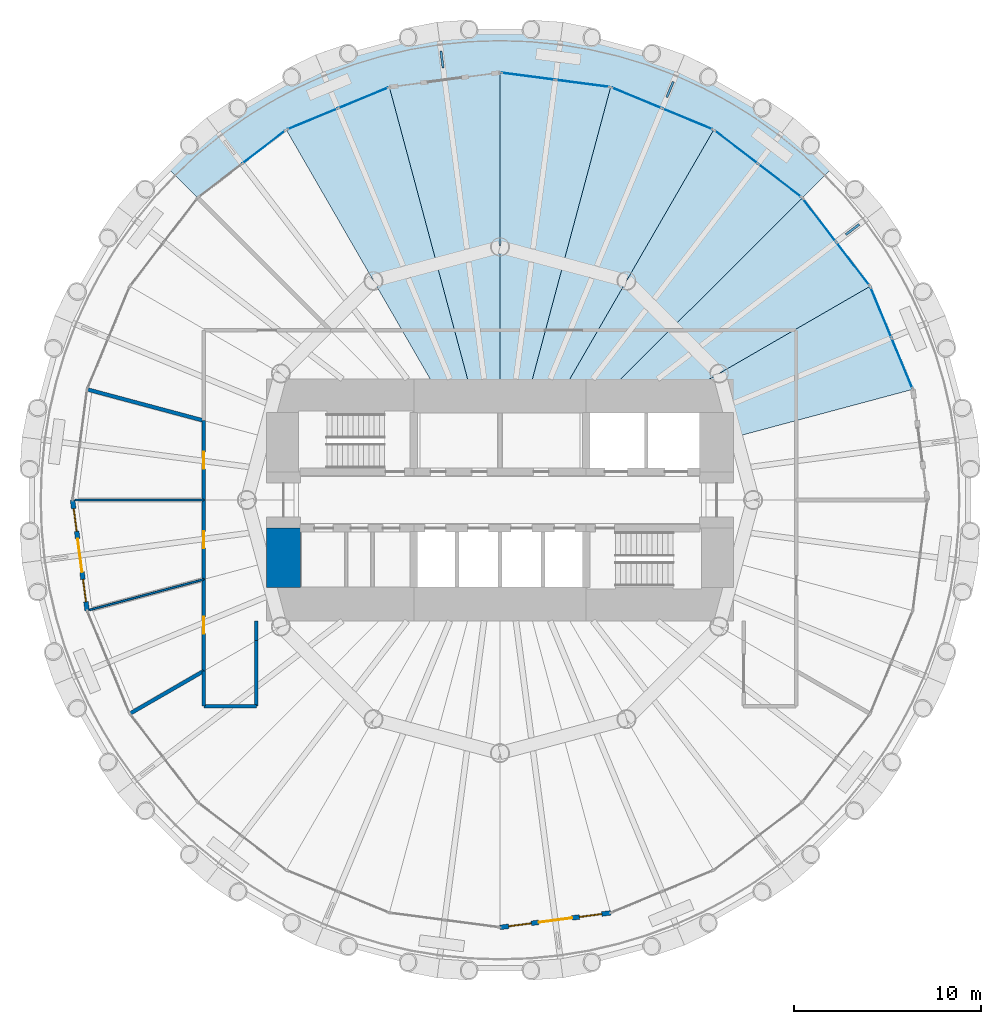
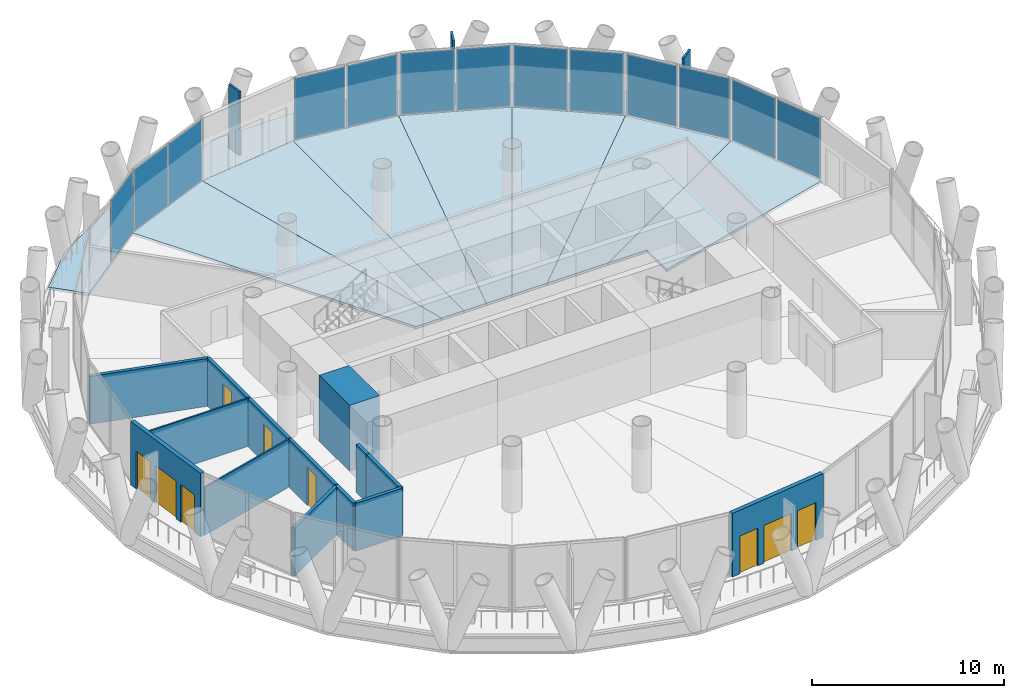
# One storey, part 8 of 14: 16 plates, 14 walls, 8 slabs, 5 doors, 4 windows, 9 openings, 7 elements without a shape of their own.
"""IFC4 building model written with IfcOpenShell, lengths in metres."""

import ifcopenshell
import ifcopenshell.guid

model = None  # the IFC model being written
_history = None  # IfcOwnerHistory: only IFC2X3 demands one
_inside = {}  # id of a spatial element -> (the spatial element, [elements in it])
_under = {}  # id of a project, library or spatial element -> (it, [spatial elements below it])
_declared = {}  # id of a project -> (the project, [libraries it declares])
_typed = {}  # id of a type object -> (the type object, [elements of that type])
_made_of = {}  # id of a material, layer set ... -> (it, [elements and type objects made of it])


def new_model(schema):
    """Start an empty IFC model of exactly this schema.

    Asked for "IFC4X3", IfcOpenShell would pick the latest addendum, in which some entities
    have other attributes; the version numbers below select the first issue.
    IFC2X3 requires an IfcOwnerHistory on every rooted entity: one is made here for all.
    """
    global model, _history
    if schema == "IFC4X3":
        model = ifcopenshell.file(schema_version=(4, 3, 0, 0))
    else:
        model = ifcopenshell.file(schema=schema)
    _inside.clear()
    _under.clear()
    _declared.clear()
    _typed.clear()
    _made_of.clear()
    _history = None
    if model.schema == "IFC2X3":
        org = make("IfcOrganization", Name="unknown")
        user = make(
            "IfcPersonAndOrganization",
            ThePerson=make("IfcPerson", FamilyName="unknown"),
            TheOrganization=org,
        )
        app = make(
            "IfcApplication",
            ApplicationDeveloper=org,
            Version="unknown",
            ApplicationFullName="unknown",
            ApplicationIdentifier="unknown",
        )
        _history = make(
            "IfcOwnerHistory",
            OwningUser=user,
            OwningApplication=app,
            ChangeAction="ADDED",
            CreationDate=0,
        )
    return model


def make(cls, **values):
    """One entity of the class cls with the attributes given. An attribute that is None is left unset."""
    return model.create_entity(
        cls, **{name: value for name, value in values.items() if value is not None}
    )


def rooted(cls, **values):
    """An entity with a GlobalId (a new one), such as an element, a storey or a relation."""
    return make(cls, GlobalId=ifcopenshell.guid.new(), OwnerHistory=_history, **values)


def si_unit(unit_type, name, prefix=None):
    """IfcSIUnit, for example si_unit("LENGTHUNIT", "METRE", prefix="MILLI")."""
    return make("IfcSIUnit", UnitType=unit_type, Prefix=prefix, Name=name)


def assignment(units):
    """IfcUnitAssignment: the units of a project."""
    return None if units is None else make("IfcUnitAssignment", Units=units)


def point(xyz):
    """IfcCartesianPoint."""
    return None if xyz is None else make("IfcCartesianPoint", Coordinates=xyz)


def direction(xyz):
    """IfcDirection."""
    return None if xyz is None else make("IfcDirection", DirectionRatios=xyz)


def frame(location, z_axis=None, x_axis=None):
    """IfcAxis2Placement3D, a coordinate frame: its origin and axes. An axis left out is left unset."""
    return make(
        "IfcAxis2Placement3D",
        Location=point(location),
        Axis=direction(z_axis),
        RefDirection=direction(x_axis),
    )


def frame_2d(location, x_axis=None):
    """IfcAxis2Placement2D, a coordinate frame in the plane: its origin and x axis."""
    return make(
        "IfcAxis2Placement2D", Location=point(location), RefDirection=direction(x_axis)
    )


def origin():
    """The frame at (0, 0, 0) with its axes left unset."""
    return frame((0.0, 0.0, 0.0))


def origin_2d():
    """The frame at (0, 0) in the plane with its x axis left unset."""
    return frame_2d((0.0, 0.0))


def place(relative_to, where):
    """IfcLocalPlacement: puts the frame where relative to a parent placement (None: the world)."""
    return make(
        "IfcLocalPlacement", PlacementRelTo=relative_to, RelativePlacement=where
    )


def context(
    kind, dimensions, precision=None, world=None, true_north=None, identifier=None
):
    """IfcGeometricRepresentationContext, for example the 3D "Model" context."""
    return make(
        "IfcGeometricRepresentationContext",
        ContextIdentifier=identifier,
        ContextType=kind,
        CoordinateSpaceDimension=dimensions,
        Precision=precision,
        WorldCoordinateSystem=world,
        TrueNorth=true_north,
    )


def subcontext(parent, identifier, kind, view, scale=None):
    """IfcGeometricRepresentationSubContext, for example "Body" below "Model"."""
    return make(
        "IfcGeometricRepresentationSubContext",
        ContextIdentifier=identifier,
        ContextType=kind,
        ParentContext=parent,
        TargetScale=scale,
        TargetView=view,
    )


def project(units=None, contexts=None):
    """IfcProject with its units and contexts."""
    return rooted(
        "IfcProject",
        Name="project",
        RepresentationContexts=contexts,
        UnitsInContext=assignment(units),
    )


def spatial(cls, under=None, at=None, **own):
    """A site, building, storey or space (cls), placed at a placement, below another one or the project."""
    s = rooted(cls, ObjectPlacement=at, **own)
    if under is not None:
        _under.setdefault(under.id(), (under, []))[1].append(s)
    return s


def polyline(points):
    """IfcPolyline through the points."""
    return make("IfcPolyline", Points=[point(p) for p in points])


def profile(cls, at=None, kind="AREA", **sizes):
    """A parametric profile (cls). Its sizes go by their IFC names, for example OverallWidth=200.0."""
    return make(cls, ProfileType=kind, Position=at, **sizes)


def rectangle(**sizes):
    """IfcRectangleProfileDef."""
    return profile("IfcRectangleProfileDef", **sizes)


def outline(outer, holes=None, kind="AREA"):
    """IfcArbitraryClosedProfileDef: a profile drawn as a closed curve; with holes, ...WithVoids."""
    if holes is None:
        return make("IfcArbitraryClosedProfileDef", ProfileType=kind, OuterCurve=outer)
    return make(
        "IfcArbitraryProfileDefWithVoids",
        ProfileType=kind,
        OuterCurve=outer,
        InnerCurves=holes,
    )


def extrude(swept, where, along, depth):
    """IfcExtrudedAreaSolid: the profile swept, set in the frame where, extruded along a direction by depth."""
    return make(
        "IfcExtrudedAreaSolid",
        SweptArea=swept,
        Position=where,
        ExtrudedDirection=direction(along),
        Depth=depth,
    )


def shape(context_of_items, identifier, shape_type, items):
    """IfcShapeRepresentation: the items that make up one representation, for example the "Body"."""
    return make(
        "IfcShapeRepresentation",
        ContextOfItems=context_of_items,
        RepresentationIdentifier=identifier,
        RepresentationType=shape_type,
        Items=items,
    )


def material(Name=None, Category=None):
    """IfcMaterial."""
    return make("IfcMaterial", Name=Name, Category=Category)


def layer(
    of_material, thickness, ventilated=None, Name=None, Category=None, Priority=None
):
    """IfcMaterialLayer: one layer of a wall or slab, of a material (None: an air gap)."""
    return make(
        "IfcMaterialLayer",
        Material=of_material,
        LayerThickness=thickness,
        IsVentilated=ventilated,
        Name=Name,
        Category=Category,
        Priority=Priority,
    )


def layer_set(layers, Name=None):
    """IfcMaterialLayerSet."""
    return make("IfcMaterialLayerSet", MaterialLayers=layers, LayerSetName=Name)


def made_of(thing, what):
    """Note that an element or type object is made of a material, layer set ...; save() writes the relation."""
    if what is not None:
        _made_of.setdefault(what.id(), (what, []))[1].append(thing)
    return thing


def type_object(cls, material=None, **own):
    """A type object (cls), such as IfcWallType, which elements share."""
    return made_of(rooted(cls, **own), material)


def element(
    cls,
    number,
    at=None,
    inside=None,
    cuts=None,
    type_object=None,
    material=None,
    context=None,
    identifier="Body",
    shape_type=None,
    held_by="IfcProductDefinitionShape",
    body=None,
    shapes=None,
    **own,
):
    """One element of the class cls, such as IfcWall. Its Tag is "e" and its number.

    at: its placement. inside: the storey or other place that contains it. cuts: it is an
    opening in that element (IfcRelVoidsElement). A single representation is given by context,
    identifier, shape_type and body (its items); several are given by shapes. held_by: the class
    of the entity that holds the representations. save() writes the other relations.
    """
    e = rooted(cls, Tag="e%d" % number, ObjectPlacement=at, **own)
    if body is not None:
        shapes = [shape(context, identifier, shape_type, body)]
    if shapes is not None:
        e.Representation = make(held_by, Representations=shapes)
    if inside is not None:
        _inside.setdefault(inside.id(), (inside, []))[1].append(e)
    if cuts is not None:
        rooted(
            "IfcRelVoidsElement", RelatingBuildingElement=cuts, RelatedOpeningElement=e
        )
    if type_object is not None:
        _typed.setdefault(type_object.id(), (type_object, []))[1].append(e)
    return made_of(e, material)


def fill(opening, filler):
    """IfcRelFillsElement: the door or window that sits in an opening."""
    return rooted(
        "IfcRelFillsElement",
        RelatingOpeningElement=opening,
        RelatedBuildingElement=filler,
    )


def aggregate(whole, parts):
    """IfcRelAggregates: a whole, such as a stair, and the parts it consists of."""
    return rooted("IfcRelAggregates", RelatingObject=whole, RelatedObjects=parts)


def save(model, path):
    """Write the relations noted so far, then the file.

    IfcRelAggregates (storeys below a building ...), IfcRelContainedInSpatialStructure (elements
    in a storey), IfcRelDefinesByType, IfcRelAssociatesMaterial and IfcRelDeclares: one each for
    every whole, place, type object, material and project.
    """
    for whole, parts in _under.values():
        aggregate(whole, parts)
    for where, things in _inside.values():
        rooted(
            "IfcRelContainedInSpatialStructure",
            RelatedElements=things,
            RelatingStructure=where,
        )
    for kind, things in _typed.values():
        rooted("IfcRelDefinesByType", RelatedObjects=things, RelatingType=kind)
    for what, things in _made_of.values():
        rooted("IfcRelAssociatesMaterial", RelatedObjects=things, RelatingMaterial=what)
    for by, libraries in _declared.values():
        rooted("IfcRelDeclares", RelatingContext=by, RelatedDefinitions=libraries)
    model.write(path)


model = new_model("IFC4")

# Units and contexts
model_context = context("Model", 3, precision=1e-05, world=origin(), true_north=direction((0.0, 1.0)))
body_context = subcontext(model_context, "Body", "Model", "MODEL_VIEW")
ifc_project = project(units=[si_unit("LENGTHUNIT", "METRE"), si_unit("AREAUNIT", "SQUARE_METRE"), si_unit("VOLUMEUNIT", "CUBIC_METRE"), si_unit("PLANEANGLEUNIT", "RADIAN"), si_unit("MASSUNIT", "GRAM", prefix="KILO")], contexts=[model_context])

# Site, building, storey
site_placement = place(None, origin())
site = spatial("IfcSite", under=ifc_project, at=site_placement, CompositionType="ELEMENT")
building_placement = place(site_placement, origin())
building = spatial("IfcBuilding", under=site, at=building_placement, Name="Qaws Media Tower", CompositionType="ELEMENT")
storey_placement = place(building_placement, frame((0.0, 0.0, 118.39990234375)))
storey = spatial("IfcBuildingStorey", under=building, at=storey_placement, Name="L26", CompositionType="ELEMENT", Elevation=118.39990234375)

# Slabs
ifc_material_1 = material(Name="Concrete C35/45", Category="concrete")
ifc_layer_1 = layer(ifc_material_1, 0.159912109375)
ifc_layer_set_1 = layer_set([ifc_layer_1], Name="Composite balcony slab 160")
slab_type_1 = type_object("IfcSlabType", Name="Composite balcony slab 160", PredefinedType="FLOOR", material=ifc_layer_set_1)
slab_1_placement = place(storey_placement, frame((0.0, 0.0, -0.159912109375)))
element("IfcSlab", 1, at=slab_1_placement, inside=storey, type_object=slab_type_1, Name="S2 balcony slab L26 R04 to R10, movement joints on R04 and R10", PredefinedType="FLOOR", context=body_context, shape_type="SweptSolid", body=[
    extrude(outline(polyline([(44.6591796875, 69.992431640625), (50.3564453125, 73.28173828125), (56.710693359375, 74.984375), (63.289306640625, 74.984375), (69.6435546875, 73.28173828125), (75.3408203125, 69.992431640625), (77.66650390625, 67.66650390625), (76.1220703125, 66.1220703125), (71.39990234375, 69.745361328125), (65.901123046875, 72.023193359375), (60.0, 72.800048828125), (54.098876953125, 72.023193359375), (48.60009765625, 69.745361328125), (43.8779296875, 66.1220703125), (42.33349609375, 67.66650390625), (44.6591796875, 69.992431640625)])), origin(), (0.0, 0.0, 1.0), 0.159912109375),
])
ifc_material_2 = material(Name="Concrete C35/45", Category="concrete")
ifc_layer_2 = layer(ifc_material_2, 0.159912109375)
ifc_layer_set_2 = layer_set([ifc_layer_2], Name="Composite floor slab 160")
slab_type_2 = type_object("IfcSlabType", Name="Composite floor slab 160", PredefinedType="FLOOR", material=ifc_layer_set_2)
slab_2_placement = place(storey_placement, frame((0.0, 0.0, -0.159912109375)))
element("IfcSlab", 2, at=slab_2_placement, inside=storey, type_object=slab_type_2, Name="S1 floor panel L26 on R02+7.5", PredefinedType="FLOOR", context=body_context, shape_type="SweptSolid", body=[
    extrude(outline(polyline([(82.023193359375, 55.901123046875), (71.0, 52.947509765625), (71.0, 55.0), (68.660400390625, 55.0), (79.745361328125, 61.39990234375), (82.023193359375, 55.901123046875)])), origin(), (0.0, 0.0, 1.0), 0.159912109375),
])
slab_3_placement = place(storey_placement, frame((0.0, 0.0, -0.159912109375)))
element("IfcSlab", 3, at=slab_3_placement, inside=storey, type_object=slab_type_2, Name="S1 floor panel L26 on R03+7.5", PredefinedType="FLOOR", context=body_context, shape_type="SweptSolid", body=[
    extrude(outline(polyline([(79.745361328125, 61.39990234375), (68.660400390625, 55.0), (65.0, 55.0), (76.1220703125, 66.1220703125), (79.745361328125, 61.39990234375)])), origin(), (0.0, 0.0, 1.0), 0.159912109375),
])
slab_4_placement = place(storey_placement, frame((0.0, 0.0, -0.159912109375)))
element("IfcSlab", 4, at=slab_4_placement, inside=storey, type_object=slab_type_2, Name="S1 floor panel L26 on R04+7.5", PredefinedType="FLOOR", context=body_context, shape_type="SweptSolid", body=[
    extrude(outline(polyline([(71.39990234375, 69.745361328125), (76.1220703125, 66.1220703125), (65.0, 55.0), (62.88671875, 55.0), (71.39990234375, 69.745361328125)])), origin(), (0.0, 0.0, 1.0), 0.159912109375),
])
slab_5_placement = place(storey_placement, frame((0.0, 0.0, -0.159912109375)))
element("IfcSlab", 5, at=slab_5_placement, inside=storey, type_object=slab_type_2, Name="S1 floor panel L26 on R05+7.5", PredefinedType="FLOOR", context=body_context, shape_type="SweptSolid", body=[
    extrude(outline(polyline([(71.39990234375, 69.745361328125), (62.88671875, 55.0), (61.339599609375, 55.0), (65.901123046875, 72.023193359375), (71.39990234375, 69.745361328125)])), origin(), (0.0, 0.0, 1.0), 0.159912109375),
])
slab_6_placement = place(storey_placement, frame((0.0, 0.0, -0.159912109375)))
element("IfcSlab", 6, at=slab_6_placement, inside=storey, type_object=slab_type_2, Name="S1 floor panel L26 on R06+7.5", PredefinedType="FLOOR", context=body_context, shape_type="SweptSolid", body=[
    extrude(outline(polyline([(65.901123046875, 72.023193359375), (61.339599609375, 55.0), (60.0, 55.0), (60.0, 72.800048828125), (65.901123046875, 72.023193359375)])), origin(), (0.0, 0.0, 1.0), 0.159912109375),
])
slab_7_placement = place(storey_placement, frame((0.0, 0.0, -0.159912109375)))
element("IfcSlab", 7, at=slab_7_placement, inside=storey, type_object=slab_type_2, Name="S1 floor panel L26 on R07+7.5", PredefinedType="FLOOR", context=body_context, shape_type="SweptSolid", body=[
    extrude(outline(polyline([(54.098876953125, 72.023193359375), (60.0, 72.800048828125), (60.0, 55.0), (58.660400390625, 55.0), (54.098876953125, 72.023193359375)])), origin(), (0.0, 0.0, 1.0), 0.159912109375),
])
slab_8_placement = place(storey_placement, frame((0.0, 0.0, -0.159912109375)))
element("IfcSlab", 8, at=slab_8_placement, inside=storey, type_object=slab_type_2, Name="S1 floor panel L26 on R08+7.5", PredefinedType="FLOOR", context=body_context, shape_type="SweptSolid", body=[
    extrude(outline(polyline([(54.098876953125, 72.023193359375), (58.660400390625, 55.0), (57.11328125, 55.0), (48.60009765625, 69.745361328125), (54.098876953125, 72.023193359375)])), origin(), (0.0, 0.0, 1.0), 0.159912109375),
])

# Curtain wall, plates
ifc_material_3 = material(Name="Aluminium and clear glass", Category="aluminium")
curtain_wall_type = type_object("IfcCurtainWallType", Name="Unitised curtain wall CW-B", PredefinedType="NOTDEFINED", material=ifc_material_3)
curtain_wall_1_placement = place(storey_placement, origin())
curtain_wall_1 = element("IfcCurtainWall", 9, at=curtain_wall_1_placement, inside=storey, type_object=curtain_wall_type, Name="CWB curtain wall L26-02", PredefinedType="NOTDEFINED")
ifc_material_4 = material(Name="Clear laminated double glazing", Category="glass")
ifc_layer_3 = layer(ifc_material_4, 0.031982421875)
ifc_layer_set_3 = layer_set([ifc_layer_3], Name="Curtain wall glass unit 32")
plate_type_1 = type_object("IfcPlateType", Name="Curtain wall glass unit 32", PredefinedType="CURTAIN_PANEL", material=ifc_layer_set_3)
plate_1_placement = place(storey_placement, frame((81.446044921875, 57.294189453125, 0.080078125), z_axis=(0.0, 0.0, 1.0), x_axis=(-0.382683471419, 0.923879516335, 0.0)))
plate_1 = element("IfcPlate", 10, at=plate_1_placement, type_object=plate_type_1, Name="CWB panel 1.1", PredefinedType="CURTAIN_PANEL", context=body_context, shape_type="SweptSolid", body=[
    extrude(rectangle(XDim=2.85595703125, YDim=0.031982421875, at=origin_2d()), origin(), (0.0, 0.0, 1.0), 3.8798828125),
])
plate_2_placement = place(storey_placement, frame((80.322509765625, 60.0068359375, 0.080078125), z_axis=(0.0, 0.0, 1.0), x_axis=(-0.382683471419, 0.923879516335, 0.0)))
plate_2 = element("IfcPlate", 11, at=plate_2_placement, type_object=plate_type_1, Name="CWB panel 2.1", PredefinedType="CURTAIN_PANEL", context=body_context, shape_type="SweptSolid", body=[
    extrude(rectangle(XDim=2.85595703125, YDim=0.031982421875, at=origin_2d()), origin(), (0.0, 0.0, 1.0), 3.8798828125),
])
aggregate(curtain_wall_1, [plate_1, plate_2])

curtain_wall_2_placement = place(storey_placement, origin())
curtain_wall_2 = element("IfcCurtainWall", 12, at=curtain_wall_2_placement, inside=storey, type_object=curtain_wall_type, Name="CWB curtain wall L26-03", PredefinedType="NOTDEFINED")
plate_3_placement = place(storey_placement, frame((78.827392578125, 62.596435546875, 0.080078125), z_axis=(0.0, 0.0, 1.0), x_axis=(-0.608761334505, 0.793353412806, 0.0)))
plate_3 = element("IfcPlate", 13, at=plate_3_placement, type_object=plate_type_1, Name="CWB panel 1.1", PredefinedType="CURTAIN_PANEL", context=body_context, shape_type="SweptSolid", body=[
    extrude(rectangle(XDim=2.85595703125, YDim=0.031982421875, at=origin_2d()), origin(), (0.0, 0.0, 1.0), 3.8798828125),
])
plate_4_placement = place(storey_placement, frame((77.0400390625, 64.92578125, 0.080078125), z_axis=(0.0, 0.0, 1.0), x_axis=(-0.608761334505, 0.793353412806, 0.0)))
plate_4 = element("IfcPlate", 14, at=plate_4_placement, type_object=plate_type_1, Name="CWB panel 2.1", PredefinedType="CURTAIN_PANEL", context=body_context, shape_type="SweptSolid", body=[
    extrude(rectangle(XDim=2.85595703125, YDim=0.031982421875, at=origin_2d()), origin(), (0.0, 0.0, 1.0), 3.8798828125),
])
aggregate(curtain_wall_2, [plate_3, plate_4])

curtain_wall_3_placement = place(storey_placement, origin())
curtain_wall_3 = element("IfcCurtainWall", 15, at=curtain_wall_3_placement, inside=storey, type_object=curtain_wall_type, Name="CWB curtain wall L26-04", PredefinedType="NOTDEFINED")
plate_5_placement = place(storey_placement, frame((74.92578125, 67.0400390625, 0.080078125), z_axis=(0.0, 0.0, 1.0), x_axis=(-0.793353412806, 0.608761334505, 0.0)))
plate_5 = element("IfcPlate", 16, at=plate_5_placement, type_object=plate_type_1, Name="CWB panel 1.1", PredefinedType="CURTAIN_PANEL", context=body_context, shape_type="SweptSolid", body=[
    extrude(rectangle(XDim=2.85595703125, YDim=0.031982421875, at=origin_2d()), origin(), (0.0, 0.0, 1.0), 3.8798828125),
])
plate_6_placement = place(storey_placement, frame((72.596435546875, 68.827392578125, 0.080078125), z_axis=(0.0, 0.0, 1.0), x_axis=(-0.793353412806, 0.608761334505, 0.0)))
plate_6 = element("IfcPlate", 17, at=plate_6_placement, type_object=plate_type_1, Name="CWB panel 2.1", PredefinedType="CURTAIN_PANEL", context=body_context, shape_type="SweptSolid", body=[
    extrude(rectangle(XDim=2.85595703125, YDim=0.031982421875, at=origin_2d()), origin(), (0.0, 0.0, 1.0), 3.8798828125),
])
aggregate(curtain_wall_3, [plate_5, plate_6])

curtain_wall_4_placement = place(storey_placement, origin())
curtain_wall_4 = element("IfcCurtainWall", 18, at=curtain_wall_4_placement, inside=storey, type_object=curtain_wall_type, Name="CWB curtain wall L26-05", PredefinedType="NOTDEFINED")
plate_7_placement = place(storey_placement, frame((70.0068359375, 70.322509765625, 0.080078125), z_axis=(0.0, 0.0, 1.0), x_axis=(-0.923879516335, 0.382683471419, 0.0)))
plate_7 = element("IfcPlate", 19, at=plate_7_placement, type_object=plate_type_1, Name="CWB panel 1.1", PredefinedType="CURTAIN_PANEL", context=body_context, shape_type="SweptSolid", body=[
    extrude(rectangle(XDim=2.85595703125, YDim=0.031982421875, at=origin_2d()), origin(), (0.0, 0.0, 1.0), 3.8798828125),
])
plate_8_placement = place(storey_placement, frame((67.294189453125, 71.446044921875, 0.080078125), z_axis=(0.0, 0.0, 1.0), x_axis=(-0.923879516335, 0.382683471419, 0.0)))
plate_8 = element("IfcPlate", 20, at=plate_8_placement, type_object=plate_type_1, Name="CWB panel 2.1", PredefinedType="CURTAIN_PANEL", context=body_context, shape_type="SweptSolid", body=[
    extrude(rectangle(XDim=2.85595703125, YDim=0.031982421875, at=origin_2d()), origin(), (0.0, 0.0, 1.0), 3.8798828125),
])
aggregate(curtain_wall_4, [plate_7, plate_8])

curtain_wall_5_placement = place(storey_placement, origin())
curtain_wall_5 = element("IfcCurtainWall", 21, at=curtain_wall_5_placement, inside=storey, type_object=curtain_wall_type, Name="CWB curtain wall L26-06", PredefinedType="NOTDEFINED")
plate_9_placement = place(storey_placement, frame((64.406005859375, 72.219970703125, 0.080078125), z_axis=(0.0, 0.0, 1.0), x_axis=(-0.991444864212, 0.130526170659, 0.0)))
plate_9 = element("IfcPlate", 22, at=plate_9_placement, type_object=plate_type_1, Name="CWB panel 1.1", PredefinedType="CURTAIN_PANEL", context=body_context, shape_type="SweptSolid", body=[
    extrude(rectangle(XDim=2.85595703125, YDim=0.031982421875, at=origin_2d()), origin(), (0.0, 0.0, 1.0), 3.8798828125),
])
plate_10_placement = place(storey_placement, frame((61.4951171875, 72.603271484375, 0.080078125), z_axis=(0.0, 0.0, 1.0), x_axis=(-0.991444864212, 0.130526170659, 0.0)))
plate_10 = element("IfcPlate", 23, at=plate_10_placement, type_object=plate_type_1, Name="CWB panel 2.1", PredefinedType="CURTAIN_PANEL", context=body_context, shape_type="SweptSolid", body=[
    extrude(rectangle(XDim=2.85595703125, YDim=0.031982421875, at=origin_2d()), origin(), (0.0, 0.0, 1.0), 3.8798828125),
])
aggregate(curtain_wall_5, [plate_9, plate_10])

curtain_wall_6_placement = place(storey_placement, origin())
curtain_wall_6 = element("IfcCurtainWall", 24, at=curtain_wall_6_placement, inside=storey, type_object=curtain_wall_type, Name="CWB curtain wall L26-08", PredefinedType="NOTDEFINED")
plate_11_placement = place(storey_placement, frame((52.705810546875, 71.446044921875, 0.080078125), z_axis=(0.0, 0.0, 1.0), x_axis=(-0.923879516335, -0.382683471419, 0.0)))
plate_11 = element("IfcPlate", 25, at=plate_11_placement, type_object=plate_type_1, Name="CWB panel 1.1", PredefinedType="CURTAIN_PANEL", context=body_context, shape_type="SweptSolid", body=[
    extrude(rectangle(XDim=2.85595703125, YDim=0.031982421875, at=origin_2d()), origin(), (0.0, 0.0, 1.0), 3.8798828125),
])
plate_12_placement = place(storey_placement, frame((49.9931640625, 70.322509765625, 0.080078125), z_axis=(0.0, 0.0, 1.0), x_axis=(-0.923879516335, -0.382683471419, 0.0)))
plate_12 = element("IfcPlate", 26, at=plate_12_placement, type_object=plate_type_1, Name="CWB panel 2.1", PredefinedType="CURTAIN_PANEL", context=body_context, shape_type="SweptSolid", body=[
    extrude(rectangle(XDim=2.85595703125, YDim=0.031982421875, at=origin_2d()), origin(), (0.0, 0.0, 1.0), 3.8798828125),
])
aggregate(curtain_wall_6, [plate_11, plate_12])

# Curtain wall, plate
curtain_wall_7_placement = place(storey_placement, origin())
curtain_wall_7 = element("IfcCurtainWall", 27, at=curtain_wall_7_placement, inside=storey, type_object=curtain_wall_type, Name="CWB curtain wall L26-09", PredefinedType="NOTDEFINED")
plate_13_placement = place(storey_placement, frame((47.403564453125, 68.827392578125, 0.080078125), z_axis=(0.0, 0.0, 1.0), x_axis=(-0.793353412806, -0.608761334505, 0.0)))
plate_13 = element("IfcPlate", 28, at=plate_13_placement, type_object=plate_type_1, Name="CWB panel 1.1", PredefinedType="CURTAIN_PANEL", context=body_context, shape_type="SweptSolid", body=[
    extrude(rectangle(XDim=2.85595703125, YDim=0.031982421875, at=origin_2d()), origin(), (0.0, 0.0, 1.0), 3.8798828125),
])
aggregate(curtain_wall_7, [plate_13])

# Plates
ifc_material_5 = material(Name="Precast concrete screen fin", Category="concrete")
ifc_layer_4 = layer(ifc_material_5, 0.1201171875)
ifc_layer_set_4 = layer_set([ifc_layer_4], Name="Screen fin 120x900")
plate_type_2 = type_object("IfcPlateType", Name="Screen fin 120x900", PredefinedType="USERDEFINED", material=ifc_layer_set_4)
for number, where, z_axis, x_axis, name in (
    (29, (78.802490234375, 64.427734375, 0.0), (0.0, 0.0, 1.0), (0.793353340291, 0.608761429009, 0.0), "SCR1 screen fin L26-02"),
    (30, (69.069580078125, 71.89599609375, 0.0), (0.0, 0.0, 1.0), (0.382683432365, 0.923879532511, 0.0), "SCR1 screen fin L26-03"),
    (31, (56.906494140625, 73.497314453125, 0.0), (0.0, 0.0, 1.0), (-0.13052619222, 0.991444861374, 0.0), "SCR1 screen fin L26-04"),
):
    element("IfcPlate", number, at=place(storey_placement, frame(where, z_axis=z_axis, x_axis=x_axis)), inside=storey, type_object=plate_type_2, Name=name, ObjectType="SCREEN", PredefinedType="USERDEFINED", context=body_context, shape_type="SweptSolid", body=[
        extrude(rectangle(XDim=0.89990234375, YDim=0.1201171875, at=origin_2d()), origin(), (0.0, 0.0, 1.0), 4.0400390625),
    ])

# Wall, openings, door, windows
ifc_material_6 = material(Name="Precast concrete, exposed finish", Category="concrete")
ifc_layer_5 = layer(ifc_material_6, 0.25)
ifc_layer_set_5 = layer_set([ifc_layer_5], Name="Balcony door wall 250")
wall_type_1 = type_object("IfcWallType", Name="Balcony door wall 250", PredefinedType="SOLIDWALL", material=ifc_layer_set_5)
wall_1_placement = place(storey_placement, frame((37.199951171875, 50.0, 0.0), z_axis=(0.0, 0.0, 1.0), x_axis=(0.130519236388, -0.991445777102, 0.0)))
wall_1 = element("IfcWall", 32, at=wall_1_placement, inside=storey, type_object=wall_type_1, Name="W174 EW1 balcony door wall L26-13", PredefinedType="SOLIDWALL", context=body_context, shape_type="SweptSolid", body=[
    extrude(rectangle(XDim=5.9521484375, YDim=0.25, at=frame_2d((2.97607421875, 0.0))), origin(), (0.0, 0.0, 1.0), 4.0400390625),
])
opening_1_placement = place(wall_1_placement, frame((2.075927734375, 0.0, 0.0)))
opening_1 = element("IfcOpeningElement", 33, at=opening_1_placement, cuts=wall_1, Name="Opening D7", PredefinedType="OPENING", context=body_context, shape_type="SweptSolid", body=[
    extrude(rectangle(XDim=1.800048828125, YDim=2.39990234375, at=frame_2d((0.89990234375, 1.199951171875))), frame((0.0, 0.135009765625, 0.0), z_axis=(0.0, -1.0, 0.0), x_axis=(1.0, 0.0, 0.0)), (0.0, 0.0, 1.0), 0.27001953125),
])
opening_2_placement = place(wall_1_placement, frame((0.47607421875, 0.0, 0.0)))
opening_2 = element("IfcOpeningElement", 34, at=opening_2_placement, cuts=wall_1, Name="Opening W1", PredefinedType="OPENING", context=body_context, shape_type="SweptSolid", body=[
    extrude(rectangle(XDim=1.199951171875, YDim=2.39990234375, at=frame_2d((0.60009765625, 1.199951171875))), frame((0.0, 0.135009765625, 0.0), z_axis=(0.0, -1.0, 0.0), x_axis=(1.0, 0.0, 0.0)), (0.0, 0.0, 1.0), 0.27001953125),
])
opening_3_placement = place(wall_1_placement, frame((4.27587890625, 0.0, 0.0)))
opening_3 = element("IfcOpeningElement", 35, at=opening_3_placement, cuts=wall_1, Name="Opening W1", PredefinedType="OPENING", context=body_context, shape_type="SweptSolid", body=[
    extrude(rectangle(XDim=1.199951171875, YDim=2.39990234375, at=frame_2d((0.60009765625, 1.199951171875))), frame((0.0, 0.135009765625, 0.0), z_axis=(0.0, -1.0, 0.0), x_axis=(1.0, 0.0, 0.0)), (0.0, 0.0, 1.0), 0.27001953125),
])
ifc_material_7 = material(Name="Aluminium and clear glass", Category="aluminium")
door_type_1 = type_object("IfcDoorType", Name="Balcony door pair 1800", OperationType="DOUBLE_DOOR_SLIDING", PredefinedType="DOOR", material=ifc_material_7)
door_1_placement = place(opening_1_placement, origin())
door_1 = element("IfcDoor", 36, at=door_1_placement, inside=storey, type_object=door_type_1, Name="D7 balcony door L26-13 in wall W174", OperationType="DOUBLE_DOOR_SLIDING", OverallHeight=2.39990234375, OverallWidth=1.800048828125, PredefinedType="DOOR", context=body_context, shape_type="SweptSolid", body=[
    extrude(rectangle(XDim=1.800048828125, YDim=2.39990234375, at=frame_2d((0.89990234375, 1.199951171875))), frame((0.0, 0.02490234375, 0.0), z_axis=(0.0, -1.0, 0.0), x_axis=(1.0, 0.0, 0.0)), (0.0, 0.0, 1.0), 0.050048828125),
])
fill(opening_1, door_1)
ifc_material_8 = material(Name="Aluminium and clear glass", Category="aluminium")
window_type = type_object("IfcWindowType", Name="Balcony side window 1200", PartitioningType="SINGLE_PANEL", PredefinedType="WINDOW", material=ifc_material_8)
window_1_placement = place(opening_2_placement, origin())
window_1 = element("IfcWindow", 37, at=window_1_placement, inside=storey, type_object=window_type, Name="W1 balcony side light L26-13L", OverallHeight=2.39990234375, OverallWidth=1.199951171875, PartitioningType="SINGLE_PANEL", PredefinedType="WINDOW", context=body_context, shape_type="SweptSolid", body=[
    extrude(rectangle(XDim=1.199951171875, YDim=2.39990234375, at=frame_2d((0.60009765625, 1.199951171875))), frame((0.0, 0.030029296875, 0.0), z_axis=(0.0, -1.0, 0.0), x_axis=(1.0, 0.0, 0.0)), (0.0, 0.0, 1.0), 0.06005859375),
])
fill(opening_2, window_1)
window_2_placement = place(opening_3_placement, origin())
window_2 = element("IfcWindow", 38, at=window_2_placement, inside=storey, type_object=window_type, Name="W1 balcony side light L26-13R", OverallHeight=2.39990234375, OverallWidth=1.199951171875, PartitioningType="SINGLE_PANEL", PredefinedType="WINDOW", context=body_context, shape_type="SweptSolid", body=[
    extrude(rectangle(XDim=1.199951171875, YDim=2.39990234375, at=frame_2d((0.60009765625, 1.199951171875))), frame((0.0, 0.030029296875, 0.0), z_axis=(0.0, -1.0, 0.0), x_axis=(1.0, 0.0, 0.0)), (0.0, 0.0, 1.0), 0.06005859375),
])
fill(opening_3, window_2)

wall_2_placement = place(storey_placement, frame((60.0, 27.199951171875, 0.0), z_axis=(0.0, 0.0, 1.0), x_axis=(0.991445777102, 0.130519236388, 0.0)))
wall_2 = element("IfcWall", 39, at=wall_2_placement, inside=storey, type_object=wall_type_1, Name="W175 EW1 balcony door wall L26-19", PredefinedType="SOLIDWALL", context=body_context, shape_type="SweptSolid", body=[
    extrude(rectangle(XDim=5.9521484375, YDim=0.25, at=frame_2d((2.97607421875, 0.0))), origin(), (0.0, 0.0, 1.0), 4.0400390625),
])
opening_4_placement = place(wall_2_placement, frame((2.075927734375, 0.0, 0.0)))
opening_4 = element("IfcOpeningElement", 40, at=opening_4_placement, cuts=wall_2, Name="Opening D7", PredefinedType="OPENING", context=body_context, shape_type="SweptSolid", body=[
    extrude(rectangle(XDim=1.800048828125, YDim=2.39990234375, at=frame_2d((0.89990234375, 1.199951171875))), frame((0.0, 0.135009765625, 0.0), z_axis=(0.0, -1.0, 0.0), x_axis=(1.0, 0.0, 0.0)), (0.0, 0.0, 1.0), 0.27001953125),
])
opening_5_placement = place(wall_2_placement, frame((0.47607421875, 0.0, 0.0)))
opening_5 = element("IfcOpeningElement", 41, at=opening_5_placement, cuts=wall_2, Name="Opening W1", PredefinedType="OPENING", context=body_context, shape_type="SweptSolid", body=[
    extrude(rectangle(XDim=1.199951171875, YDim=2.39990234375, at=frame_2d((0.60009765625, 1.199951171875))), frame((0.0, 0.135009765625, 0.0), z_axis=(0.0, -1.0, 0.0), x_axis=(1.0, 0.0, 0.0)), (0.0, 0.0, 1.0), 0.27001953125),
])
opening_6_placement = place(wall_2_placement, frame((4.27587890625, 0.0, 0.0)))
opening_6 = element("IfcOpeningElement", 42, at=opening_6_placement, cuts=wall_2, Name="Opening W1", PredefinedType="OPENING", context=body_context, shape_type="SweptSolid", body=[
    extrude(rectangle(XDim=1.199951171875, YDim=2.39990234375, at=frame_2d((0.60009765625, 1.199951171875))), frame((0.0, 0.135009765625, 0.0), z_axis=(0.0, -1.0, 0.0), x_axis=(1.0, 0.0, 0.0)), (0.0, 0.0, 1.0), 0.27001953125),
])
door_2_placement = place(opening_4_placement, origin())
door_2 = element("IfcDoor", 43, at=door_2_placement, inside=storey, type_object=door_type_1, Name="D7 balcony door L26-19 in wall W175", OperationType="DOUBLE_DOOR_SLIDING", OverallHeight=2.39990234375, OverallWidth=1.800048828125, PredefinedType="DOOR", context=body_context, shape_type="SweptSolid", body=[
    extrude(rectangle(XDim=1.800048828125, YDim=2.39990234375, at=frame_2d((0.89990234375, 1.199951171875))), frame((0.0, 0.02490234375, 0.0), z_axis=(0.0, -1.0, 0.0), x_axis=(1.0, 0.0, 0.0)), (0.0, 0.0, 1.0), 0.050048828125),
])
fill(opening_4, door_2)
window_3_placement = place(opening_5_placement, origin())
window_3 = element("IfcWindow", 44, at=window_3_placement, inside=storey, type_object=window_type, Name="W1 balcony side light L26-19L", OverallHeight=2.39990234375, OverallWidth=1.199951171875, PartitioningType="SINGLE_PANEL", PredefinedType="WINDOW", context=body_context, shape_type="SweptSolid", body=[
    extrude(rectangle(XDim=1.199951171875, YDim=2.39990234375, at=frame_2d((0.60009765625, 1.199951171875))), frame((0.0, 0.030029296875, 0.0), z_axis=(0.0, -1.0, 0.0), x_axis=(1.0, 0.0, 0.0)), (0.0, 0.0, 1.0), 0.06005859375),
])
fill(opening_5, window_3)
window_4_placement = place(opening_6_placement, origin())
window_4 = element("IfcWindow", 45, at=window_4_placement, inside=storey, type_object=window_type, Name="W1 balcony side light L26-19R", OverallHeight=2.39990234375, OverallWidth=1.199951171875, PartitioningType="SINGLE_PANEL", PredefinedType="WINDOW", context=body_context, shape_type="SweptSolid", body=[
    extrude(rectangle(XDim=1.199951171875, YDim=2.39990234375, at=frame_2d((0.60009765625, 1.199951171875))), frame((0.0, 0.030029296875, 0.0), z_axis=(0.0, -1.0, 0.0), x_axis=(1.0, 0.0, 0.0)), (0.0, 0.0, 1.0), 0.06005859375),
])
fill(opening_6, window_4)

# Walls
ifc_material_9 = material(Name="Concrete C60/75", Category="concrete")
ifc_layer_6 = layer(ifc_material_9, 1.800048828125)
ifc_layer_set_6 = layer_set([ifc_layer_6], Name="Core wall 1800")
wall_type_2 = type_object("IfcWallType", Name="Core wall 1800", PredefinedType="SHEAR", material=ifc_layer_set_6)
wall_3_placement = place(storey_placement, frame((48.449951171875, 45.330078125, 0.0), z_axis=(0.0, 0.0, 1.0), x_axis=(0.0, 1.0, 0.0)))
element("IfcWall", 46, at=wall_3_placement, inside=storey, type_object=wall_type_2, Name="W418 SW11 core wall WS L26", PredefinedType="SHEAR", context=body_context, shape_type="SweptSolid", body=[
    extrude(rectangle(XDim=3.169921875, YDim=1.800048828125, at=frame_2d((1.5849609375, 0.0))), origin(), (0.0, 0.0, 1.0), 4.2001953125),
])
ifc_material_10 = material(Name="Gypsum board on 70 metal studs, single layer each side", Category="gypsum")
ifc_layer_7 = layer(ifc_material_10, 0.10009765625)
ifc_layer_set_7 = layer_set([ifc_layer_7], Name="Office stud partition 100")
wall_type_3 = type_object("IfcWallType", Name="Office stud partition 100", PredefinedType="PARTITIONING", material=ifc_layer_set_7)
wall_4_placement = place(storey_placement, frame((44.199951171875, 50.0, 0.0), z_axis=(0.0, 0.0, 1.0), x_axis=(-1.0, 0.0, 0.0)))
element("IfcWall", 47, at=wall_4_placement, inside=storey, type_object=wall_type_3, Name="W658 IW4 partition L26", PredefinedType="PARTITIONING", context=body_context, shape_type="SweptSolid", body=[
    extrude(rectangle(XDim=6.85986328125, YDim=0.10009765625, at=frame_2d((3.429931640625, 0.0))), origin(), (0.0, 0.0, 1.0), 3.0400390625),
])
wall_5_placement = place(storey_placement, frame((44.197509765625, 45.765625, 0.0), z_axis=(0.0, 0.0, 1.0), x_axis=(-0.965934560174, -0.258786447599, 0.0)))
element("IfcWall", 48, at=wall_5_placement, inside=storey, type_object=wall_type_3, Name="W657 IW4 partition L26", PredefinedType="PARTITIONING", context=body_context, shape_type="SweptSolid", body=[
    extrude(rectangle(XDim=6.300048828125, YDim=0.10009765625, at=frame_2d((3.14990234375, 0.0))), origin(), (0.0, 0.0, 1.0), 3.0400390625),
])
ifc_material_11 = material(Name="Gypsum board on galvanised metal studs, acoustic double stud, deflection head", Category="gypsum")
ifc_layer_8 = layer(ifc_material_11, 0.199951171875)
ifc_layer_set_8 = layer_set([ifc_layer_8], Name="Room partition 200")
wall_type_4 = type_object("IfcWallType", Name="Room partition 200", PredefinedType="PARTITIONING", material=ifc_layer_set_8)
wall_6_placement = place(storey_placement, frame((47.0, 43.550048828125, 0.0), z_axis=(0.0, 0.0, 1.0), x_axis=(0.0, -1.0, 0.0)))
element("IfcWall", 49, at=wall_6_placement, inside=storey, type_object=wall_type_4, Name="W1224 IW3 partition L26", PredefinedType="PARTITIONING", context=body_context, shape_type="SweptSolid", body=[
    extrude(rectangle(XDim=1.0556640625, YDim=0.199951171875, at=frame_2d((0.52783203125, 0.0))), origin(), (0.0, 0.0, 1.0), 3.0400390625),
])
wall_7_placement = place(storey_placement, frame((47.0, 42.494384765625, 0.0), z_axis=(0.0, 0.0, 1.0), x_axis=(0.0, -1.0, 0.0)))
element("IfcWall", 50, at=wall_7_placement, inside=storey, type_object=wall_type_4, Name="W1223 IW3 partition L26", PredefinedType="PARTITIONING", context=body_context, shape_type="SweptSolid", body=[
    extrude(rectangle(XDim=3.494384765625, YDim=0.199951171875, at=frame_2d((1.7470703125, 0.0))), origin(), (0.0, 0.0, 1.0), 3.0400390625),
])
wall_8_placement = place(storey_placement, frame((47.0, 39.0, 0.0), z_axis=(0.0, 0.0, 1.0), x_axis=(-1.0, 0.0, 0.0)))
element("IfcWall", 51, at=wall_8_placement, inside=storey, type_object=wall_type_4, Name="W1222 IW3 partition L26", PredefinedType="PARTITIONING", context=body_context, shape_type="SweptSolid", body=[
    extrude(rectangle(XDim=2.800048828125, YDim=0.199951171875, at=frame_2d((1.39990234375, 0.0))), origin(), (0.0, 0.0, 1.0), 3.0400390625),
])
wall_9_placement = place(storey_placement, frame((44.199951171875, 39.0, 0.0), z_axis=(0.0, 0.0, 1.0), x_axis=(0.0, 1.0, 0.0)))
element("IfcWall", 52, at=wall_9_placement, inside=storey, type_object=wall_type_4, Name="W1215 IW3 partition L26", PredefinedType="PARTITIONING", context=body_context, shape_type="SweptSolid", body=[
    extrude(rectangle(XDim=1.8779296875, YDim=0.199951171875, at=frame_2d((0.93896484375, 0.0))), origin(), (0.0, 0.0, 1.0), 3.0400390625),
])

# Wall, opening, door
wall_10_placement = place(storey_placement, frame((44.199951171875, 40.8779296875, 0.0), z_axis=(0.0, 0.0, 1.0), x_axis=(0.0, 1.0, 0.0)))
wall_10 = element("IfcWall", 53, at=wall_10_placement, inside=storey, type_object=wall_type_4, Name="W1216 IW3 partition L26", PredefinedType="PARTITIONING", context=body_context, shape_type="SweptSolid", body=[
    extrude(rectangle(XDim=4.888427734375, YDim=0.199951171875, at=frame_2d((2.4443359375, 0.0))), origin(), (0.0, 0.0, 1.0), 3.0400390625),
])
opening_7_placement = place(wall_10_placement, frame((1.994384765625, 0.0, 0.0)))
opening_7 = element("IfcOpeningElement", 54, at=opening_7_placement, cuts=wall_10, Name="Opening D12", PredefinedType="OPENING", context=body_context, shape_type="SweptSolid", body=[
    extrude(rectangle(XDim=0.89990234375, YDim=2.39990234375, at=frame_2d((0.449951171875, 1.199951171875))), frame((0.0, 0.10986328125, 0.0), z_axis=(0.0, -1.0, 0.0), x_axis=(1.0, 0.0, 0.0)), (0.0, 0.0, 1.0), 0.219970703125),
])
ifc_material_12 = material(Name="Timber veneered, full height", Category="wood")
door_type_2 = type_object("IfcDoorType", Name="Office door 900x2400", OperationType="SINGLE_SWING_LEFT", PredefinedType="DOOR", material=ifc_material_12)
door_3_placement = place(opening_7_placement, origin())
door_3 = element("IfcDoor", 55, at=door_3_placement, inside=storey, type_object=door_type_2, Name="D12 Office door L26 in wall W1216", OperationType="SINGLE_SWING_LEFT", OverallHeight=2.39990234375, OverallWidth=0.89990234375, PredefinedType="DOOR", context=body_context, shape_type="SweptSolid", body=[
    extrude(rectangle(XDim=0.89990234375, YDim=2.39990234375, at=frame_2d((0.449951171875, 1.199951171875))), frame((0.0, 0.02490234375, 0.0), z_axis=(0.0, -1.0, 0.0), x_axis=(1.0, 0.0, 0.0)), (0.0, 0.0, 1.0), 0.050048828125),
])
fill(opening_7, door_3)

wall_11_placement = place(storey_placement, frame((44.199951171875, 45.766357421875, 0.0), z_axis=(0.0, 0.0, 1.0), x_axis=(0.0, 1.0, 0.0)))
wall_11 = element("IfcWall", 56, at=wall_11_placement, inside=storey, type_object=wall_type_4, Name="W1217 IW3 partition L26", PredefinedType="PARTITIONING", context=body_context, shape_type="SweptSolid", body=[
    extrude(rectangle(XDim=4.233642578125, YDim=0.199951171875, at=frame_2d((2.11669921875, 0.0))), origin(), (0.0, 0.0, 1.0), 3.0400390625),
])
opening_8_placement = place(wall_11_placement, frame((1.666748046875, 0.0, 0.0)))
opening_8 = element("IfcOpeningElement", 57, at=opening_8_placement, cuts=wall_11, Name="Opening D12", PredefinedType="OPENING", context=body_context, shape_type="SweptSolid", body=[
    extrude(rectangle(XDim=0.89990234375, YDim=2.39990234375, at=frame_2d((0.449951171875, 1.199951171875))), frame((0.0, 0.10986328125, 0.0), z_axis=(0.0, -1.0, 0.0), x_axis=(1.0, 0.0, 0.0)), (0.0, 0.0, 1.0), 0.219970703125),
])
door_4_placement = place(opening_8_placement, origin())
door_4 = element("IfcDoor", 58, at=door_4_placement, inside=storey, type_object=door_type_2, Name="D12 Office door L26 in wall W1217", OperationType="SINGLE_SWING_LEFT", OverallHeight=2.39990234375, OverallWidth=0.89990234375, PredefinedType="DOOR", context=body_context, shape_type="SweptSolid", body=[
    extrude(rectangle(XDim=0.89990234375, YDim=2.39990234375, at=frame_2d((0.449951171875, 1.199951171875))), frame((0.0, 0.02490234375, 0.0), z_axis=(0.0, -1.0, 0.0), x_axis=(1.0, 0.0, 0.0)), (0.0, 0.0, 1.0), 0.050048828125),
])
fill(opening_8, door_4)

wall_12_placement = place(storey_placement, frame((44.199951171875, 50.0, 0.0), z_axis=(0.0, 0.0, 1.0), x_axis=(0.0, 1.0, 0.0)))
wall_12 = element("IfcWall", 59, at=wall_12_placement, inside=storey, type_object=wall_type_4, Name="W1218 IW3 partition L26", PredefinedType="PARTITIONING", context=body_context, shape_type="SweptSolid", body=[
    extrude(rectangle(XDim=4.233642578125, YDim=0.199951171875, at=frame_2d((2.11669921875, 0.0))), origin(), (0.0, 0.0, 1.0), 3.0400390625),
])
opening_9_placement = place(wall_12_placement, frame((1.666748046875, 0.0, 0.0)))
opening_9 = element("IfcOpeningElement", 60, at=opening_9_placement, cuts=wall_12, Name="Opening D12", PredefinedType="OPENING", context=body_context, shape_type="SweptSolid", body=[
    extrude(rectangle(XDim=0.89990234375, YDim=2.39990234375, at=frame_2d((0.449951171875, 1.199951171875))), frame((0.0, 0.10986328125, 0.0), z_axis=(0.0, -1.0, 0.0), x_axis=(1.0, 0.0, 0.0)), (0.0, 0.0, 1.0), 0.219970703125),
])
door_5_placement = place(opening_9_placement, origin())
door_5 = element("IfcDoor", 61, at=door_5_placement, inside=storey, type_object=door_type_2, Name="D12 Office door L26 in wall W1218", OperationType="SINGLE_SWING_LEFT", OverallHeight=2.39990234375, OverallWidth=0.89990234375, PredefinedType="DOOR", context=body_context, shape_type="SweptSolid", body=[
    extrude(rectangle(XDim=0.89990234375, YDim=2.39990234375, at=frame_2d((0.449951171875, 1.199951171875))), frame((0.0, 0.02490234375, 0.0), z_axis=(0.0, -1.0, 0.0), x_axis=(1.0, 0.0, 0.0)), (0.0, 0.0, 1.0), 0.050048828125),
])
fill(opening_9, door_5)

# Walls
wall_13_placement = place(storey_placement, frame((44.197509765625, 54.234375, 0.0), z_axis=(0.0, 0.0, 1.0), x_axis=(-0.965935452272, 0.258783117772, 0.0)))
element("IfcWall", 62, at=wall_13_placement, inside=storey, type_object=wall_type_4, Name="W1240 IW3 partition L26", PredefinedType="PARTITIONING", context=body_context, shape_type="SweptSolid", body=[
    extrude(rectangle(XDim=6.400146484375, YDim=0.199951171875, at=frame_2d((3.2001953125, 0.0))), origin(), (0.0, 0.0, 1.0), 3.0400390625),
])
wall_14_placement = place(storey_placement, frame((44.20361328125, 40.8798828125, 0.0), z_axis=(0.0, 0.0, 1.0), x_axis=(-0.866040767256, -0.499973388743, 0.0)))
element("IfcWall", 63, at=wall_14_placement, inside=storey, type_object=wall_type_4, Name="W1241 IW3 partition L26", PredefinedType="PARTITIONING", context=body_context, shape_type="SweptSolid", body=[
    extrude(rectangle(XDim=4.519775390625, YDim=0.199951171875, at=frame_2d((2.259765625, 0.0))), origin(), (0.0, 0.0, 1.0), 3.0400390625),
])

save(model, "model.ifc")
